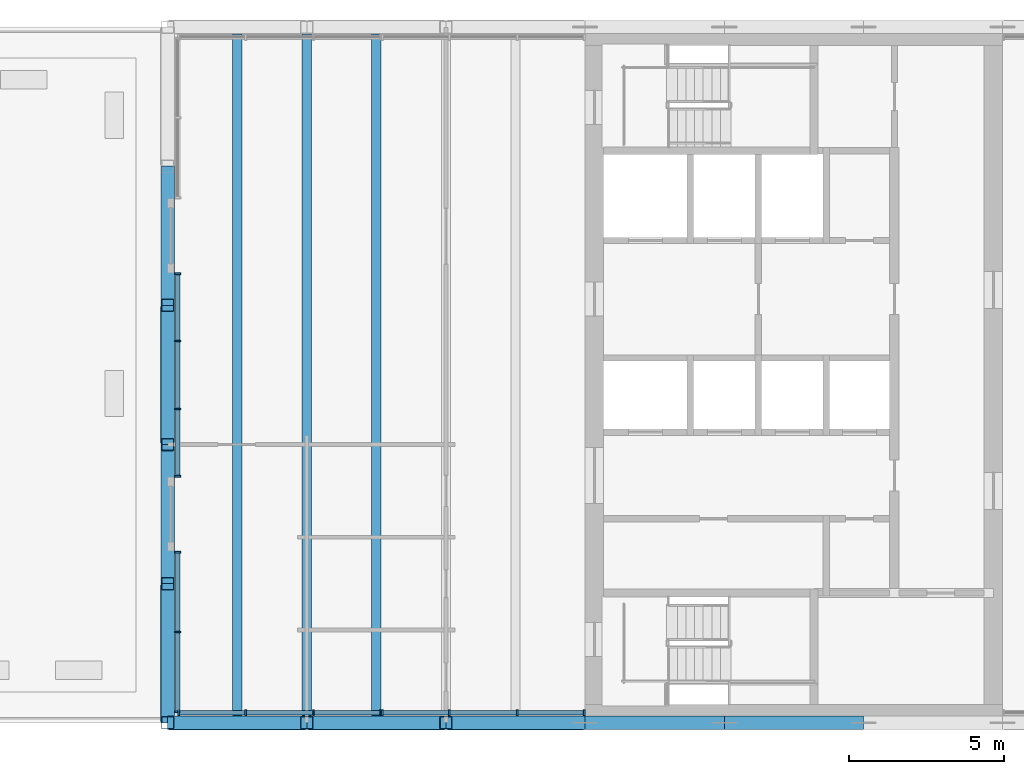
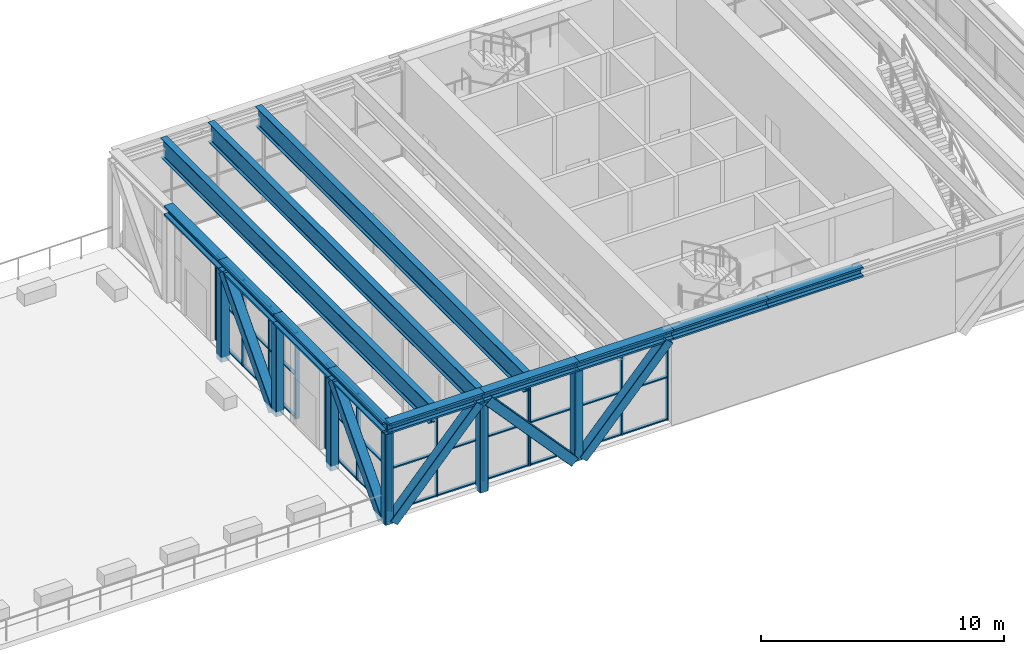
# One storey, part 1 of 13: 68 members, 3 beams, 4 elements without a shape of their own.
"""IFC4 building model written with IfcOpenShell, lengths in metres."""

from ifc_helpers import new_model, si_unit, direction, frame, origin, origin_2d, place, context, subcontext, project, spatial, rectangle, hollow_rectangle, i_section, extrude, material, material_profile, profile_set, type_object, element, aggregate, save


model = new_model("IFC4")

# Units and contexts
model_context = context("Model", 3, precision=1e-05, world=origin(), true_north=direction((0.0, 1.0)))
body_context = subcontext(model_context, "Body", "Model", "MODEL_VIEW")
ifc_project = project(units=[si_unit("LENGTHUNIT", "METRE"), si_unit("AREAUNIT", "SQUARE_METRE"), si_unit("VOLUMEUNIT", "CUBIC_METRE"), si_unit("PLANEANGLEUNIT", "RADIAN"), si_unit("MASSUNIT", "GRAM", prefix="KILO")], contexts=[model_context])

# Site, building, storey
site_placement = place(None, origin())
site = spatial("IfcSite", under=ifc_project, at=site_placement, CompositionType="ELEMENT")
building_placement = place(site_placement, origin())
building = spatial("IfcBuilding", under=site, at=building_placement, Name="Sennacour Bend Tower", CompositionType="ELEMENT")
storey_placement = place(building_placement, frame((0.0, 0.0, 345.5)))
storey = spatial("IfcBuildingStorey", under=building, at=storey_placement, Name="L79", CompositionType="ELEMENT", Elevation=345.5)

# Curtain wall, members
ifc_material_1 = material(Name="Bronze anodised aluminium curtain wall with clear glass", Category="aluminium")
curtain_wall_type = type_object("IfcCurtainWallType", Name="CURTAIN WALL LOUNGE", PredefinedType="NOTDEFINED", material=ifc_material_1)
curtain_wall_1_placement = place(storey_placement, origin())
curtain_wall_1 = element("IfcCurtainWall", 1, at=curtain_wall_1_placement, inside=storey, type_object=curtain_wall_type, Name="Sky lounge glass wall L79", PredefinedType="NOTDEFINED")
ifc_material_2 = material(Name="Aluminium 6063-T6", Category="aluminium")
ifc_material_profile_1 = material_profile(ifc_material_2, rectangle(XDim=0.199951171875, YDim=0.06005859375, at=origin_2d()), Name="Aluminium 6063-T6", Category="aluminium")
ifc_profile_set_1 = profile_set([ifc_material_profile_1], Name="Aluminium 6063-T6")
member_type_1 = type_object("IfcMemberType", Name="CW-MULLION-200X60", PredefinedType="MULLION", material=ifc_profile_set_1)
member_1_placement = place(storey_placement, frame((40.824951171875, 0.35498046875, 0.0), z_axis=(0.0, 0.0, 1.0), x_axis=(-1.0, 0.0, 0.0)))
member_1 = element("IfcMember", 2, at=member_1_placement, type_object=member_type_1, Name="GW4 curtain wall mullion 1", PredefinedType="MULLION", context=body_context, shape_type="SweptSolid", body=[
    extrude(rectangle(XDim=0.199951171875, YDim=0.06005859375, at=origin_2d()), origin(), (0.0, 0.0, 1.0), 4.302001953125),
])
member_2_placement = place(storey_placement, frame((40.824951171875, 2.9375, 0.0), z_axis=(0.0, 0.0, 1.0), x_axis=(-1.0, 0.0, 0.0)))
member_2 = element("IfcMember", 3, at=member_2_placement, type_object=member_type_1, Name="GW4 curtain wall mullion 2", PredefinedType="MULLION", context=body_context, shape_type="SweptSolid", body=[
    extrude(rectangle(XDim=0.199951171875, YDim=0.06005859375, at=origin_2d()), origin(), (0.0, 0.0, 1.0), 4.302001953125),
])
member_3_placement = place(storey_placement, frame((40.824951171875, 5.52001953125, 0.0), z_axis=(0.0, 0.0, 1.0), x_axis=(-1.0, 0.0, 0.0)))
member_3 = element("IfcMember", 4, at=member_3_placement, type_object=member_type_1, Name="GW4 curtain wall mullion 3", PredefinedType="MULLION", context=body_context, shape_type="SweptSolid", body=[
    extrude(rectangle(XDim=0.199951171875, YDim=0.06005859375, at=origin_2d()), origin(), (0.0, 0.0, 1.0), 4.302001953125),
])

curtain_wall_2_placement = place(storey_placement, origin())
curtain_wall_2 = element("IfcCurtainWall", 5, at=curtain_wall_2_placement, inside=storey, type_object=curtain_wall_type, Name="Sky lounge glass wall L79", PredefinedType="NOTDEFINED")
member_4_placement = place(storey_placement, frame((40.824951171875, 7.97998046875, 0.0), z_axis=(0.0, 0.0, 1.0), x_axis=(-1.0, 0.0, 0.0)))
member_4 = element("IfcMember", 6, at=member_4_placement, type_object=member_type_1, Name="GW4 curtain wall mullion 1", PredefinedType="MULLION", context=body_context, shape_type="SweptSolid", body=[
    extrude(rectangle(XDim=0.199951171875, YDim=0.06005859375, at=origin_2d()), origin(), (0.0, 0.0, 1.0), 4.302001953125),
])
member_5_placement = place(storey_placement, frame((40.824951171875, 10.14990234375, 0.0), z_axis=(0.0, 0.0, 1.0), x_axis=(-1.0, 0.0, 0.0)))
member_5 = element("IfcMember", 7, at=member_5_placement, type_object=member_type_1, Name="GW4 curtain wall mullion 2", PredefinedType="MULLION", context=body_context, shape_type="SweptSolid", body=[
    extrude(rectangle(XDim=0.199951171875, YDim=0.06005859375, at=origin_2d()), origin(), (0.0, 0.0, 1.0), 4.302001953125),
])
member_6_placement = place(storey_placement, frame((40.824951171875, 12.35009765625, 0.0), z_axis=(0.0, 0.0, 1.0), x_axis=(-1.0, 0.0, 0.0)))
member_6 = element("IfcMember", 8, at=member_6_placement, type_object=member_type_1, Name="GW4 curtain wall mullion 3", PredefinedType="MULLION", context=body_context, shape_type="SweptSolid", body=[
    extrude(rectangle(XDim=0.199951171875, YDim=0.06005859375, at=origin_2d()), origin(), (0.0, 0.0, 1.0), 4.302001953125),
])
member_7_placement = place(storey_placement, frame((40.824951171875, 14.52001953125, 0.0), z_axis=(0.0, 0.0, 1.0), x_axis=(-1.0, 0.0, 0.0)))
member_7 = element("IfcMember", 9, at=member_7_placement, type_object=member_type_1, Name="GW4 curtain wall mullion 4", PredefinedType="MULLION", context=body_context, shape_type="SweptSolid", body=[
    extrude(rectangle(XDim=0.199951171875, YDim=0.06005859375, at=origin_2d()), origin(), (0.0, 0.0, 1.0), 4.302001953125),
])

curtain_wall_3_placement = place(storey_placement, origin())
curtain_wall_3 = element("IfcCurtainWall", 10, at=curtain_wall_3_placement, inside=storey, type_object=curtain_wall_type, Name="Sky lounge glass wall L79", PredefinedType="NOTDEFINED")
member_8_placement = place(storey_placement, frame((40.85498046875, 0.324951171875, 0.0), z_axis=(0.0, 0.0, 1.0), x_axis=(0.0, 1.0, 0.0)))
member_8 = element("IfcMember", 11, at=member_8_placement, type_object=member_type_1, Name="GW4 curtain wall mullion 1", PredefinedType="MULLION", context=body_context, shape_type="SweptSolid", body=[
    extrude(rectangle(XDim=0.199951171875, YDim=0.06005859375, at=origin_2d()), origin(), (0.0, 0.0, 1.0), 4.302001953125),
])
member_9_placement = place(storey_placement, frame((43.020751953125, 0.324951171875, 0.0), z_axis=(0.0, 0.0, 1.0), x_axis=(0.0, 1.0, 0.0)))
member_9 = element("IfcMember", 12, at=member_9_placement, type_object=member_type_1, Name="GW4 curtain wall mullion 2", PredefinedType="MULLION", context=body_context, shape_type="SweptSolid", body=[
    extrude(rectangle(XDim=0.199951171875, YDim=0.06005859375, at=origin_2d()), origin(), (0.0, 0.0, 1.0), 4.302001953125),
])
member_10_placement = place(storey_placement, frame((45.21630859375, 0.324951171875, 0.0), z_axis=(0.0, 0.0, 1.0), x_axis=(0.0, 1.0, 0.0)))
member_10 = element("IfcMember", 13, at=member_10_placement, type_object=member_type_1, Name="GW4 curtain wall mullion 3", PredefinedType="MULLION", context=body_context, shape_type="SweptSolid", body=[
    extrude(rectangle(XDim=0.199951171875, YDim=0.06005859375, at=origin_2d()), origin(), (0.0, 0.0, 1.0), 4.302001953125),
])
member_11_placement = place(storey_placement, frame((47.382080078125, 0.324951171875, 0.0), z_axis=(0.0, 0.0, 1.0), x_axis=(0.0, 1.0, 0.0)))
member_11 = element("IfcMember", 14, at=member_11_placement, type_object=member_type_1, Name="GW4 curtain wall mullion 4", PredefinedType="MULLION", context=body_context, shape_type="SweptSolid", body=[
    extrude(rectangle(XDim=0.199951171875, YDim=0.06005859375, at=origin_2d()), origin(), (0.0, 0.0, 1.0), 4.302001953125),
])

curtain_wall_4_placement = place(storey_placement, origin())
curtain_wall_4 = element("IfcCurtainWall", 15, at=curtain_wall_4_placement, inside=storey, type_object=curtain_wall_type, Name="Sky lounge glass wall L79", PredefinedType="NOTDEFINED")
member_12_placement = place(storey_placement, frame((47.44189453125, 0.324951171875, 0.0), z_axis=(0.0, 0.0, 1.0), x_axis=(0.0, 1.0, 0.0)))
member_12 = element("IfcMember", 16, at=member_12_placement, type_object=member_type_1, Name="GW4 curtain wall mullion 1", PredefinedType="MULLION", context=body_context, shape_type="SweptSolid", body=[
    extrude(rectangle(XDim=0.199951171875, YDim=0.06005859375, at=origin_2d()), origin(), (0.0, 0.0, 1.0), 4.302001953125),
])
member_13_placement = place(storey_placement, frame((49.607666015625, 0.324951171875, 0.0), z_axis=(0.0, 0.0, 1.0), x_axis=(0.0, 1.0, 0.0)))
member_13 = element("IfcMember", 17, at=member_13_placement, type_object=member_type_1, Name="GW4 curtain wall mullion 2", PredefinedType="MULLION", context=body_context, shape_type="SweptSolid", body=[
    extrude(rectangle(XDim=0.199951171875, YDim=0.06005859375, at=origin_2d()), origin(), (0.0, 0.0, 1.0), 4.302001953125),
])
member_14_placement = place(storey_placement, frame((51.80322265625, 0.324951171875, 0.0), z_axis=(0.0, 0.0, 1.0), x_axis=(0.0, 1.0, 0.0)))
member_14 = element("IfcMember", 18, at=member_14_placement, type_object=member_type_1, Name="GW4 curtain wall mullion 3", PredefinedType="MULLION", context=body_context, shape_type="SweptSolid", body=[
    extrude(rectangle(XDim=0.199951171875, YDim=0.06005859375, at=origin_2d()), origin(), (0.0, 0.0, 1.0), 4.302001953125),
])
member_15_placement = place(storey_placement, frame((53.968994140625, 0.324951171875, 0.0), z_axis=(0.0, 0.0, 1.0), x_axis=(0.0, 1.0, 0.0)))
member_15 = element("IfcMember", 19, at=member_15_placement, type_object=member_type_1, Name="GW4 curtain wall mullion 4", PredefinedType="MULLION", context=body_context, shape_type="SweptSolid", body=[
    extrude(rectangle(XDim=0.199951171875, YDim=0.06005859375, at=origin_2d()), origin(), (0.0, 0.0, 1.0), 4.302001953125),
])

# Member
ifc_material_profile_2 = material_profile(ifc_material_2, rectangle(XDim=0.14990234375, YDim=0.06005859375, at=origin_2d()), Name="Aluminium 6063-T6", Category="aluminium")
ifc_profile_set_2 = profile_set([ifc_material_profile_2], Name="Aluminium 6063-T6")
member_type_2 = type_object("IfcMemberType", Name="CW-TRANSOM-150X60", PredefinedType="USERDEFINED", material=ifc_profile_set_2)
member_16_placement = place(storey_placement, frame((40.824951171875, 0.385009765625, 0.030029296875), z_axis=(0.0, 1.0, 0.0), x_axis=(-1.0, 0.0, 0.0)))
member_16 = element("IfcMember", 20, at=member_16_placement, type_object=member_type_2, Name="GW4 curtain wall transom 1.1", ObjectType="TRANSOM", PredefinedType="USERDEFINED", context=body_context, shape_type="SweptSolid", body=[
    extrude(rectangle(XDim=0.14990234375, YDim=0.06005859375, at=origin_2d()), origin(), (0.0, 0.0, 1.0), 2.5224609375),
])

member_17_placement = place(storey_placement, frame((40.824951171875, 0.385009765625, 2.15087890625), z_axis=(0.0, 1.0, 0.0), x_axis=(-1.0, 0.0, 0.0)))
member_17 = element("IfcMember", 21, at=member_17_placement, type_object=member_type_2, Name="GW4 curtain wall transom 1.2", ObjectType="TRANSOM", PredefinedType="USERDEFINED", context=body_context, shape_type="SweptSolid", body=[
    extrude(rectangle(XDim=0.14990234375, YDim=0.06005859375, at=origin_2d()), origin(), (0.0, 0.0, 1.0), 2.5224609375),
])

member_18_placement = place(storey_placement, frame((40.824951171875, 0.385009765625, 4.27197265625), z_axis=(0.0, 1.0, 0.0), x_axis=(-1.0, 0.0, 0.0)))
member_18 = element("IfcMember", 22, at=member_18_placement, type_object=member_type_2, Name="GW4 curtain wall transom 1.3", ObjectType="TRANSOM", PredefinedType="USERDEFINED", context=body_context, shape_type="SweptSolid", body=[
    extrude(rectangle(XDim=0.14990234375, YDim=0.06005859375, at=origin_2d()), origin(), (0.0, 0.0, 1.0), 2.5224609375),
])

member_19_placement = place(storey_placement, frame((40.824951171875, 2.967529296875, 0.030029296875), z_axis=(0.0, 1.0, 0.0), x_axis=(-1.0, 0.0, 0.0)))
member_19 = element("IfcMember", 23, at=member_19_placement, type_object=member_type_2, Name="GW4 curtain wall transom 2.1", ObjectType="TRANSOM", PredefinedType="USERDEFINED", context=body_context, shape_type="SweptSolid", body=[
    extrude(rectangle(XDim=0.14990234375, YDim=0.06005859375, at=origin_2d()), origin(), (0.0, 0.0, 1.0), 2.5224609375),
])

member_20_placement = place(storey_placement, frame((40.824951171875, 2.967529296875, 2.15087890625), z_axis=(0.0, 1.0, 0.0), x_axis=(-1.0, 0.0, 0.0)))
member_20 = element("IfcMember", 24, at=member_20_placement, type_object=member_type_2, Name="GW4 curtain wall transom 2.2", ObjectType="TRANSOM", PredefinedType="USERDEFINED", context=body_context, shape_type="SweptSolid", body=[
    extrude(rectangle(XDim=0.14990234375, YDim=0.06005859375, at=origin_2d()), origin(), (0.0, 0.0, 1.0), 2.5224609375),
])

member_21_placement = place(storey_placement, frame((40.824951171875, 2.967529296875, 4.27197265625), z_axis=(0.0, 1.0, 0.0), x_axis=(-1.0, 0.0, 0.0)))
member_21 = element("IfcMember", 25, at=member_21_placement, type_object=member_type_2, Name="GW4 curtain wall transom 2.3", ObjectType="TRANSOM", PredefinedType="USERDEFINED", context=body_context, shape_type="SweptSolid", body=[
    extrude(rectangle(XDim=0.14990234375, YDim=0.06005859375, at=origin_2d()), origin(), (0.0, 0.0, 1.0), 2.5224609375),
])

aggregate(curtain_wall_1, [member_1, member_2, member_3, member_16, member_17, member_18, member_19, member_20, member_21])

member_22_placement = place(storey_placement, frame((40.824951171875, 8.010009765625, 0.030029296875), z_axis=(0.0, 1.0, 0.0), x_axis=(-1.0, 0.0, 0.0)))
member_22 = element("IfcMember", 26, at=member_22_placement, type_object=member_type_2, Name="GW4 curtain wall transom 1.1", ObjectType="TRANSOM", PredefinedType="USERDEFINED", context=body_context, shape_type="SweptSolid", body=[
    extrude(rectangle(XDim=0.14990234375, YDim=0.06005859375, at=origin_2d()), origin(), (0.0, 0.0, 1.0), 2.110107421875),
])

member_23_placement = place(storey_placement, frame((40.824951171875, 8.010009765625, 2.15087890625), z_axis=(0.0, 1.0, 0.0), x_axis=(-1.0, 0.0, 0.0)))
member_23 = element("IfcMember", 27, at=member_23_placement, type_object=member_type_2, Name="GW4 curtain wall transom 1.2", ObjectType="TRANSOM", PredefinedType="USERDEFINED", context=body_context, shape_type="SweptSolid", body=[
    extrude(rectangle(XDim=0.14990234375, YDim=0.06005859375, at=origin_2d()), origin(), (0.0, 0.0, 1.0), 2.110107421875),
])

member_24_placement = place(storey_placement, frame((40.824951171875, 8.010009765625, 4.27197265625), z_axis=(0.0, 1.0, 0.0), x_axis=(-1.0, 0.0, 0.0)))
member_24 = element("IfcMember", 28, at=member_24_placement, type_object=member_type_2, Name="GW4 curtain wall transom 1.3", ObjectType="TRANSOM", PredefinedType="USERDEFINED", context=body_context, shape_type="SweptSolid", body=[
    extrude(rectangle(XDim=0.14990234375, YDim=0.06005859375, at=origin_2d()), origin(), (0.0, 0.0, 1.0), 2.110107421875),
])

member_25_placement = place(storey_placement, frame((40.824951171875, 10.179931640625, 0.030029296875), z_axis=(0.0, 1.0, 0.0), x_axis=(-1.0, 0.0, 0.0)))
member_25 = element("IfcMember", 29, at=member_25_placement, type_object=member_type_2, Name="GW4 curtain wall transom 2.1", ObjectType="TRANSOM", PredefinedType="USERDEFINED", context=body_context, shape_type="SweptSolid", body=[
    extrude(rectangle(XDim=0.14990234375, YDim=0.06005859375, at=origin_2d()), origin(), (0.0, 0.0, 1.0), 2.14013671875),
])

member_26_placement = place(storey_placement, frame((40.824951171875, 10.179931640625, 2.15087890625), z_axis=(0.0, 1.0, 0.0), x_axis=(-1.0, 0.0, 0.0)))
member_26 = element("IfcMember", 30, at=member_26_placement, type_object=member_type_2, Name="GW4 curtain wall transom 2.2", ObjectType="TRANSOM", PredefinedType="USERDEFINED", context=body_context, shape_type="SweptSolid", body=[
    extrude(rectangle(XDim=0.14990234375, YDim=0.06005859375, at=origin_2d()), origin(), (0.0, 0.0, 1.0), 2.14013671875),
])

member_27_placement = place(storey_placement, frame((40.824951171875, 10.179931640625, 4.27197265625), z_axis=(0.0, 1.0, 0.0), x_axis=(-1.0, 0.0, 0.0)))
member_27 = element("IfcMember", 31, at=member_27_placement, type_object=member_type_2, Name="GW4 curtain wall transom 2.3", ObjectType="TRANSOM", PredefinedType="USERDEFINED", context=body_context, shape_type="SweptSolid", body=[
    extrude(rectangle(XDim=0.14990234375, YDim=0.06005859375, at=origin_2d()), origin(), (0.0, 0.0, 1.0), 2.14013671875),
])

member_28_placement = place(storey_placement, frame((40.824951171875, 12.3798828125, 0.030029296875), z_axis=(0.0, 1.0, 0.0), x_axis=(-1.0, 0.0, 0.0)))
member_28 = element("IfcMember", 32, at=member_28_placement, type_object=member_type_2, Name="GW4 curtain wall transom 3.1", ObjectType="TRANSOM", PredefinedType="USERDEFINED", context=body_context, shape_type="SweptSolid", body=[
    extrude(rectangle(XDim=0.14990234375, YDim=0.06005859375, at=origin_2d()), origin(), (0.0, 0.0, 1.0), 2.110107421875),
])

member_29_placement = place(storey_placement, frame((40.824951171875, 12.3798828125, 2.15087890625), z_axis=(0.0, 1.0, 0.0), x_axis=(-1.0, 0.0, 0.0)))
member_29 = element("IfcMember", 33, at=member_29_placement, type_object=member_type_2, Name="GW4 curtain wall transom 3.2", ObjectType="TRANSOM", PredefinedType="USERDEFINED", context=body_context, shape_type="SweptSolid", body=[
    extrude(rectangle(XDim=0.14990234375, YDim=0.06005859375, at=origin_2d()), origin(), (0.0, 0.0, 1.0), 2.110107421875),
])

member_30_placement = place(storey_placement, frame((40.824951171875, 12.3798828125, 4.27197265625), z_axis=(0.0, 1.0, 0.0), x_axis=(-1.0, 0.0, 0.0)))
member_30 = element("IfcMember", 34, at=member_30_placement, type_object=member_type_2, Name="GW4 curtain wall transom 3.3", ObjectType="TRANSOM", PredefinedType="USERDEFINED", context=body_context, shape_type="SweptSolid", body=[
    extrude(rectangle(XDim=0.14990234375, YDim=0.06005859375, at=origin_2d()), origin(), (0.0, 0.0, 1.0), 2.110107421875),
])

aggregate(curtain_wall_2, [member_4, member_5, member_6, member_7, member_22, member_23, member_24, member_25, member_26, member_27, member_28, member_29, member_30])

member_31_placement = place(storey_placement, frame((40.885009765625, 0.324951171875, 0.030029296875), z_axis=(1.0, 0.0, 0.0), x_axis=(0.0, 1.0, 0.0)))
member_31 = element("IfcMember", 35, at=member_31_placement, type_object=member_type_2, Name="GW4 curtain wall transom 1.1", ObjectType="TRANSOM", PredefinedType="USERDEFINED", context=body_context, shape_type="SweptSolid", body=[
    extrude(rectangle(XDim=0.14990234375, YDim=0.06005859375, at=origin_2d()), origin(), (0.0, 0.0, 1.0), 2.105712890625),
])

member_32_placement = place(storey_placement, frame((40.885009765625, 0.324951171875, 2.15087890625), z_axis=(1.0, 0.0, 0.0), x_axis=(0.0, 1.0, 0.0)))
member_32 = element("IfcMember", 36, at=member_32_placement, type_object=member_type_2, Name="GW4 curtain wall transom 1.2", ObjectType="TRANSOM", PredefinedType="USERDEFINED", context=body_context, shape_type="SweptSolid", body=[
    extrude(rectangle(XDim=0.14990234375, YDim=0.06005859375, at=origin_2d()), origin(), (0.0, 0.0, 1.0), 2.105712890625),
])

member_33_placement = place(storey_placement, frame((40.885009765625, 0.324951171875, 4.27197265625), z_axis=(1.0, 0.0, 0.0), x_axis=(0.0, 1.0, 0.0)))
member_33 = element("IfcMember", 37, at=member_33_placement, type_object=member_type_2, Name="GW4 curtain wall transom 1.3", ObjectType="TRANSOM", PredefinedType="USERDEFINED", context=body_context, shape_type="SweptSolid", body=[
    extrude(rectangle(XDim=0.14990234375, YDim=0.06005859375, at=origin_2d()), origin(), (0.0, 0.0, 1.0), 2.105712890625),
])

member_34_placement = place(storey_placement, frame((43.05078125, 0.324951171875, 0.030029296875), z_axis=(1.0, 0.0, 0.0), x_axis=(0.0, 1.0, 0.0)))
member_34 = element("IfcMember", 38, at=member_34_placement, type_object=member_type_2, Name="GW4 curtain wall transom 2.1", ObjectType="TRANSOM", PredefinedType="USERDEFINED", context=body_context, shape_type="SweptSolid", body=[
    extrude(rectangle(XDim=0.14990234375, YDim=0.06005859375, at=origin_2d()), origin(), (0.0, 0.0, 1.0), 2.135498046875),
])

member_35_placement = place(storey_placement, frame((43.05078125, 0.324951171875, 2.15087890625), z_axis=(1.0, 0.0, 0.0), x_axis=(0.0, 1.0, 0.0)))
member_35 = element("IfcMember", 39, at=member_35_placement, type_object=member_type_2, Name="GW4 curtain wall transom 2.2", ObjectType="TRANSOM", PredefinedType="USERDEFINED", context=body_context, shape_type="SweptSolid", body=[
    extrude(rectangle(XDim=0.14990234375, YDim=0.06005859375, at=origin_2d()), origin(), (0.0, 0.0, 1.0), 2.135498046875),
])

member_36_placement = place(storey_placement, frame((43.05078125, 0.324951171875, 4.27197265625), z_axis=(1.0, 0.0, 0.0), x_axis=(0.0, 1.0, 0.0)))
member_36 = element("IfcMember", 40, at=member_36_placement, type_object=member_type_2, Name="GW4 curtain wall transom 2.3", ObjectType="TRANSOM", PredefinedType="USERDEFINED", context=body_context, shape_type="SweptSolid", body=[
    extrude(rectangle(XDim=0.14990234375, YDim=0.06005859375, at=origin_2d()), origin(), (0.0, 0.0, 1.0), 2.135498046875),
])

member_37_placement = place(storey_placement, frame((45.246337890625, 0.324951171875, 0.030029296875), z_axis=(1.0, 0.0, 0.0), x_axis=(0.0, 1.0, 0.0)))
member_37 = element("IfcMember", 41, at=member_37_placement, type_object=member_type_2, Name="GW4 curtain wall transom 3.1", ObjectType="TRANSOM", PredefinedType="USERDEFINED", context=body_context, shape_type="SweptSolid", body=[
    extrude(rectangle(XDim=0.14990234375, YDim=0.06005859375, at=origin_2d()), origin(), (0.0, 0.0, 1.0), 2.105712890625),
])

member_38_placement = place(storey_placement, frame((45.246337890625, 0.324951171875, 2.15087890625), z_axis=(1.0, 0.0, 0.0), x_axis=(0.0, 1.0, 0.0)))
member_38 = element("IfcMember", 42, at=member_38_placement, type_object=member_type_2, Name="GW4 curtain wall transom 3.2", ObjectType="TRANSOM", PredefinedType="USERDEFINED", context=body_context, shape_type="SweptSolid", body=[
    extrude(rectangle(XDim=0.14990234375, YDim=0.06005859375, at=origin_2d()), origin(), (0.0, 0.0, 1.0), 2.105712890625),
])

member_39_placement = place(storey_placement, frame((45.246337890625, 0.324951171875, 4.27197265625), z_axis=(1.0, 0.0, 0.0), x_axis=(0.0, 1.0, 0.0)))
member_39 = element("IfcMember", 43, at=member_39_placement, type_object=member_type_2, Name="GW4 curtain wall transom 3.3", ObjectType="TRANSOM", PredefinedType="USERDEFINED", context=body_context, shape_type="SweptSolid", body=[
    extrude(rectangle(XDim=0.14990234375, YDim=0.06005859375, at=origin_2d()), origin(), (0.0, 0.0, 1.0), 2.105712890625),
])

aggregate(curtain_wall_3, [member_8, member_9, member_10, member_11, member_31, member_32, member_33, member_34, member_35, member_36, member_37, member_38, member_39])

member_40_placement = place(storey_placement, frame((47.471923828125, 0.324951171875, 0.030029296875), z_axis=(1.0, 0.0, 0.0), x_axis=(0.0, 1.0, 0.0)))
member_40 = element("IfcMember", 44, at=member_40_placement, type_object=member_type_2, Name="GW4 curtain wall transom 1.1", ObjectType="TRANSOM", PredefinedType="USERDEFINED", context=body_context, shape_type="SweptSolid", body=[
    extrude(rectangle(XDim=0.14990234375, YDim=0.06005859375, at=origin_2d()), origin(), (0.0, 0.0, 1.0), 2.105712890625),
])

member_41_placement = place(storey_placement, frame((47.471923828125, 0.324951171875, 2.15087890625), z_axis=(1.0, 0.0, 0.0), x_axis=(0.0, 1.0, 0.0)))
member_41 = element("IfcMember", 45, at=member_41_placement, type_object=member_type_2, Name="GW4 curtain wall transom 1.2", ObjectType="TRANSOM", PredefinedType="USERDEFINED", context=body_context, shape_type="SweptSolid", body=[
    extrude(rectangle(XDim=0.14990234375, YDim=0.06005859375, at=origin_2d()), origin(), (0.0, 0.0, 1.0), 2.105712890625),
])

member_42_placement = place(storey_placement, frame((47.471923828125, 0.324951171875, 4.27197265625), z_axis=(1.0, 0.0, 0.0), x_axis=(0.0, 1.0, 0.0)))
member_42 = element("IfcMember", 46, at=member_42_placement, type_object=member_type_2, Name="GW4 curtain wall transom 1.3", ObjectType="TRANSOM", PredefinedType="USERDEFINED", context=body_context, shape_type="SweptSolid", body=[
    extrude(rectangle(XDim=0.14990234375, YDim=0.06005859375, at=origin_2d()), origin(), (0.0, 0.0, 1.0), 2.105712890625),
])

member_43_placement = place(storey_placement, frame((49.6376953125, 0.324951171875, 0.030029296875), z_axis=(1.0, 0.0, 0.0), x_axis=(0.0, 1.0, 0.0)))
member_43 = element("IfcMember", 47, at=member_43_placement, type_object=member_type_2, Name="GW4 curtain wall transom 2.1", ObjectType="TRANSOM", PredefinedType="USERDEFINED", context=body_context, shape_type="SweptSolid", body=[
    extrude(rectangle(XDim=0.14990234375, YDim=0.06005859375, at=origin_2d()), origin(), (0.0, 0.0, 1.0), 2.1357421875),
])

member_44_placement = place(storey_placement, frame((49.6376953125, 0.324951171875, 2.15087890625), z_axis=(1.0, 0.0, 0.0), x_axis=(0.0, 1.0, 0.0)))
member_44 = element("IfcMember", 48, at=member_44_placement, type_object=member_type_2, Name="GW4 curtain wall transom 2.2", ObjectType="TRANSOM", PredefinedType="USERDEFINED", context=body_context, shape_type="SweptSolid", body=[
    extrude(rectangle(XDim=0.14990234375, YDim=0.06005859375, at=origin_2d()), origin(), (0.0, 0.0, 1.0), 2.1357421875),
])

member_45_placement = place(storey_placement, frame((49.6376953125, 0.324951171875, 4.27197265625), z_axis=(1.0, 0.0, 0.0), x_axis=(0.0, 1.0, 0.0)))
member_45 = element("IfcMember", 49, at=member_45_placement, type_object=member_type_2, Name="GW4 curtain wall transom 2.3", ObjectType="TRANSOM", PredefinedType="USERDEFINED", context=body_context, shape_type="SweptSolid", body=[
    extrude(rectangle(XDim=0.14990234375, YDim=0.06005859375, at=origin_2d()), origin(), (0.0, 0.0, 1.0), 2.1357421875),
])

member_46_placement = place(storey_placement, frame((51.833251953125, 0.324951171875, 0.030029296875), z_axis=(1.0, 0.0, 0.0), x_axis=(0.0, 1.0, 0.0)))
member_46 = element("IfcMember", 50, at=member_46_placement, type_object=member_type_2, Name="GW4 curtain wall transom 3.1", ObjectType="TRANSOM", PredefinedType="USERDEFINED", context=body_context, shape_type="SweptSolid", body=[
    extrude(rectangle(XDim=0.14990234375, YDim=0.06005859375, at=origin_2d()), origin(), (0.0, 0.0, 1.0), 2.105712890625),
])

member_47_placement = place(storey_placement, frame((51.833251953125, 0.324951171875, 2.15087890625), z_axis=(1.0, 0.0, 0.0), x_axis=(0.0, 1.0, 0.0)))
member_47 = element("IfcMember", 51, at=member_47_placement, type_object=member_type_2, Name="GW4 curtain wall transom 3.2", ObjectType="TRANSOM", PredefinedType="USERDEFINED", context=body_context, shape_type="SweptSolid", body=[
    extrude(rectangle(XDim=0.14990234375, YDim=0.06005859375, at=origin_2d()), origin(), (0.0, 0.0, 1.0), 2.105712890625),
])

member_48_placement = place(storey_placement, frame((51.833251953125, 0.324951171875, 4.27197265625), z_axis=(1.0, 0.0, 0.0), x_axis=(0.0, 1.0, 0.0)))
member_48 = element("IfcMember", 52, at=member_48_placement, type_object=member_type_2, Name="GW4 curtain wall transom 3.3", ObjectType="TRANSOM", PredefinedType="USERDEFINED", context=body_context, shape_type="SweptSolid", body=[
    extrude(rectangle(XDim=0.14990234375, YDim=0.06005859375, at=origin_2d()), origin(), (0.0, 0.0, 1.0), 2.105712890625),
])

aggregate(curtain_wall_4, [member_12, member_13, member_14, member_15, member_40, member_41, member_42, member_43, member_44, member_45, member_46, member_47, member_48])

# Beams
ifc_material_3 = material(Name="Steel ASTM A992 Grade 50", Category="steel")
ifc_material_profile_3 = material_profile(ifc_material_3, i_section(OverallWidth=0.300048828125, OverallDepth=0.990966796875, WebThickness=0.0166015625, FlangeThickness=0.030517578125, FilletRadius=0.030029296875, at=origin_2d()), Name="Steel ASTM A992 Grade 50", Category="steel")
ifc_profile_set_3 = profile_set([ifc_material_profile_3], Name="Steel ASTM A992 Grade 50")
beam_type = type_object("IfcBeamType", Name="Floor beam W1000X272", PredefinedType="BEAM", material=ifc_profile_set_3)
for number, where, z_axis, x_axis, name in (
    (53, (42.75, 0.216064453125, 4.304443359375), (0.0, 1.0, 0.0), (-1.0, 0.0, 0.0), "Floor beam FBM3 L80-001"),
    (54, (45.0, 0.216064453125, 4.304443359375), (0.0, 1.0, 0.0), (-1.0, 0.0, 0.0), "Floor beam FBM3 L80-002"),
    (55, (47.25, 0.216064453125, 4.304443359375), (0.0, 1.0, 0.0), (-1.0, 0.0, 0.0), "Floor beam FBM3 L80-003"),
):
    element("IfcBeam", number, at=place(storey_placement, frame(where, z_axis=z_axis, x_axis=x_axis)), inside=storey, type_object=beam_type, Name=name, PredefinedType="BEAM", context=body_context, shape_type="SweptSolid", body=[
        extrude(i_section(OverallWidth=0.300048828125, OverallDepth=0.990966796875, WebThickness=0.0166015625, FlangeThickness=0.030517578125, FilletRadius=0.030029296875, at=origin_2d()), origin(), (0.0, 0.0, 1.0), 22.06787109375),
    ])

# Members
ifc_material_profile_4 = material_profile(ifc_material_3, i_section(OverallWidth=0.431884765625, OverallDepth=0.498046875, WebThickness=0.0556640625, FlangeThickness=0.0888671875, FilletRadius=0.01513671875, at=origin_2d()), Name="Steel ASTM A992 Grade 50", Category="steel")
ifc_profile_set_4 = profile_set([ifc_material_profile_4], Name="Steel ASTM A992 Grade 50")
member_type_3 = type_object("IfcMemberType", Name="Lounge truss chord W360X744", PredefinedType="CHORD", material=ifc_profile_set_4)
for number, where, z_axis, x_axis, name in (
    (56, (40.5, 0.0, 4.551025390625), (1.0, 0.0, 0.0), (0.0, 1.0, 0.0), "Lounge truss chord LTC L80-001"),
    (57, (45.0, 0.0, 4.551025390625), (1.0, 0.0, 0.0), (0.0, 1.0, 0.0), "Lounge truss chord LTC L80-002"),
    (58, (49.5, 0.0, 4.551025390625), (1.0, 0.0, 0.0), (0.0, 1.0, 0.0), "Lounge truss chord LTC L80-003"),
    (59, (54.0, 0.0, 4.551025390625), (1.0, 0.0, 0.0), (0.0, 1.0, 0.0), "Lounge truss chord LTC L80-004"),
    (60, (58.5, 0.0, 4.551025390625), (1.0, 0.0, 0.0), (0.0, 1.0, 0.0), "Lounge truss chord LTC L80-005"),
    (61, (40.5, 0.0, 4.551025390625), (0.0, 1.0, 0.0), (-1.0, 0.0, 0.0), "Lounge truss chord LTC L80-017"),
    (62, (40.5, 4.5, 4.551025390625), (0.0, 1.0, 0.0), (-1.0, 0.0, 0.0), "Lounge truss chord LTC L80-018"),
    (63, (40.5, 9.0, 4.551025390625), (0.0, 1.0, 0.0), (-1.0, 0.0, 0.0), "Lounge truss chord LTC L80-019"),
    (64, (40.5, 13.5, 4.551025390625), (0.0, 1.0, 0.0), (-1.0, 0.0, 0.0), "Lounge truss chord LTC L80-020"),
):
    element("IfcMember", number, at=place(storey_placement, frame(where, z_axis=z_axis, x_axis=x_axis)), inside=storey, type_object=member_type_3, Name=name, PredefinedType="CHORD", context=body_context, shape_type="SweptSolid", body=[
        extrude(i_section(OverallWidth=0.431884765625, OverallDepth=0.498046875, WebThickness=0.0556640625, FlangeThickness=0.0888671875, FilletRadius=0.01513671875, at=origin_2d()), origin(), (0.0, 0.0, 1.0), 4.5),
    ])
ifc_material_4 = material(Name="Steel ASTM A500 Grade C", Category="steel")
ifc_material_profile_5 = material_profile(ifc_material_4, hollow_rectangle(XDim=0.457275390625, YDim=0.457275390625, WallThickness=0.015869140625, InnerFilletRadius=0.015869140625, OuterFilletRadius=0.03173828125, at=origin_2d()), Name="Steel ASTM A500 Grade C", Category="steel")
ifc_profile_set_5 = profile_set([ifc_material_profile_5], Name="Steel ASTM A500 Grade C")
member_type_4 = type_object("IfcMemberType", Name="Lounge truss diagonal 457", PredefinedType="BRACE", material=ifc_profile_set_5)
member_49_placement = place(storey_placement, frame((40.703125, 0.0, -0.25), z_axis=(0.668689278982, 0.0, 0.743541961273), x_axis=(0.0, 1.0, 0.0)))
element("IfcMember", 65, at=member_49_placement, inside=storey, type_object=member_type_4, Name="Lounge truss diagonal LD L79-001", PredefinedType="BRACE", context=body_context, shape_type="SweptSolid", body=[
    extrude(hollow_rectangle(XDim=0.457275390625, YDim=0.457275390625, WallThickness=0.015869140625, InnerFilletRadius=0.015869140625, OuterFilletRadius=0.03173828125, at=origin_2d()), origin(), (0.0, 0.0, 1.0), 6.1220703125),
])
for number, where, z_axis, x_axis, name in (
    (66, (45.203125, 0.0, 4.302001953125), (0.672768645858, 0.0, -0.739852923999), (0.0, 1.0, 0.0), "Lounge truss diagonal LD L79-002"),
    (67, (49.703125, 0.0, -0.199951171875), (0.672768645858, 0.0, 0.739852923999), (0.0, 1.0, 0.0), "Lounge truss diagonal LD L79-003"),
):
    element("IfcMember", number, at=place(storey_placement, frame(where, z_axis=z_axis, x_axis=x_axis)), inside=storey, type_object=member_type_4, Name=name, PredefinedType="BRACE", context=body_context, shape_type="SweptSolid", body=[
        extrude(hollow_rectangle(XDim=0.457275390625, YDim=0.457275390625, WallThickness=0.015869140625, InnerFilletRadius=0.015869140625, OuterFilletRadius=0.03173828125, at=origin_2d()), origin(), (0.0, 0.0, 1.0), 6.0849609375),
    ])
for number, where, z_axis, x_axis, name in (
    (68, (40.5, 0.203125, -0.25), (0.0, 0.668689278982, 0.743541961273), (-1.0, 0.0, 0.0), "Lounge truss diagonal LD L79-011"),
    (69, (40.5, 9.203125, -0.25), (0.0, 0.668689278982, 0.743541961273), (-1.0, 0.0, 0.0), "Lounge truss diagonal LD L79-012"),
):
    element("IfcMember", number, at=place(storey_placement, frame(where, z_axis=z_axis, x_axis=x_axis)), inside=storey, type_object=member_type_4, Name=name, PredefinedType="BRACE", context=body_context, shape_type="SweptSolid", body=[
        extrude(hollow_rectangle(XDim=0.457275390625, YDim=0.457275390625, WallThickness=0.015869140625, InnerFilletRadius=0.015869140625, OuterFilletRadius=0.03173828125, at=origin_2d()), origin(), (0.0, 0.0, 1.0), 6.1220703125),
    ])
ifc_material_profile_6 = material_profile(ifc_material_4, hollow_rectangle(XDim=0.406494140625, YDim=0.406494140625, WallThickness=0.01904296875, InnerFilletRadius=0.01904296875, OuterFilletRadius=0.0380859375, at=origin_2d()), Name="Steel ASTM A500 Grade C", Category="steel")
ifc_profile_set_6 = profile_set([ifc_material_profile_6], Name="Steel ASTM A500 Grade C")
member_type_5 = type_object("IfcMemberType", Name="Lounge truss post 406", PredefinedType="POST", material=ifc_profile_set_6)
member_50_placement = place(storey_placement, frame((40.5, 0.0, -0.25), z_axis=(0.0, 0.0, 1.0), x_axis=(1.0, 0.0, 0.0)))
element("IfcMember", 70, at=member_50_placement, inside=storey, type_object=member_type_5, Name="Lounge truss post LP L79-001", PredefinedType="POST", context=body_context, shape_type="SweptSolid", body=[
    extrude(hollow_rectangle(XDim=0.406494140625, YDim=0.406494140625, WallThickness=0.01904296875, InnerFilletRadius=0.01904296875, OuterFilletRadius=0.0380859375, at=origin_2d()), origin(), (0.0, 0.0, 1.0), 4.552001953125),
])
for number, where, z_axis, x_axis, name in (
    (71, (45.0, 0.0, -0.199951171875), (0.0, 0.0, 1.0), (1.0, 0.0, 0.0), "Lounge truss post LP L79-002"),
    (72, (49.5, 0.0, -0.199951171875), (0.0, 0.0, 1.0), (1.0, 0.0, 0.0), "Lounge truss post LP L79-003"),
):
    element("IfcMember", number, at=place(storey_placement, frame(where, z_axis=z_axis, x_axis=x_axis)), inside=storey, type_object=member_type_5, Name=name, PredefinedType="POST", context=body_context, shape_type="SweptSolid", body=[
        extrude(hollow_rectangle(XDim=0.406494140625, YDim=0.406494140625, WallThickness=0.01904296875, InnerFilletRadius=0.01904296875, OuterFilletRadius=0.0380859375, at=origin_2d()), origin(), (0.0, 0.0, 1.0), 4.501953125),
    ])
for number, where, z_axis, x_axis, name in (
    (73, (40.5, 4.5, -0.25), (0.0, 0.0, 1.0), (1.0, 0.0, 0.0), "Lounge truss post LP L79-011"),
    (74, (40.5, 9.0, -0.25), (0.0, 0.0, 1.0), (1.0, 0.0, 0.0), "Lounge truss post LP L79-012"),
    (75, (40.5, 13.5, -0.25), (0.0, 0.0, 1.0), (1.0, 0.0, 0.0), "Lounge truss post LP L79-013"),
):
    element("IfcMember", number, at=place(storey_placement, frame(where, z_axis=z_axis, x_axis=x_axis)), inside=storey, type_object=member_type_5, Name=name, PredefinedType="POST", context=body_context, shape_type="SweptSolid", body=[
        extrude(hollow_rectangle(XDim=0.406494140625, YDim=0.406494140625, WallThickness=0.01904296875, InnerFilletRadius=0.01904296875, OuterFilletRadius=0.0380859375, at=origin_2d()), origin(), (0.0, 0.0, 1.0), 4.552001953125),
    ])

save(model, "model.ifc")
